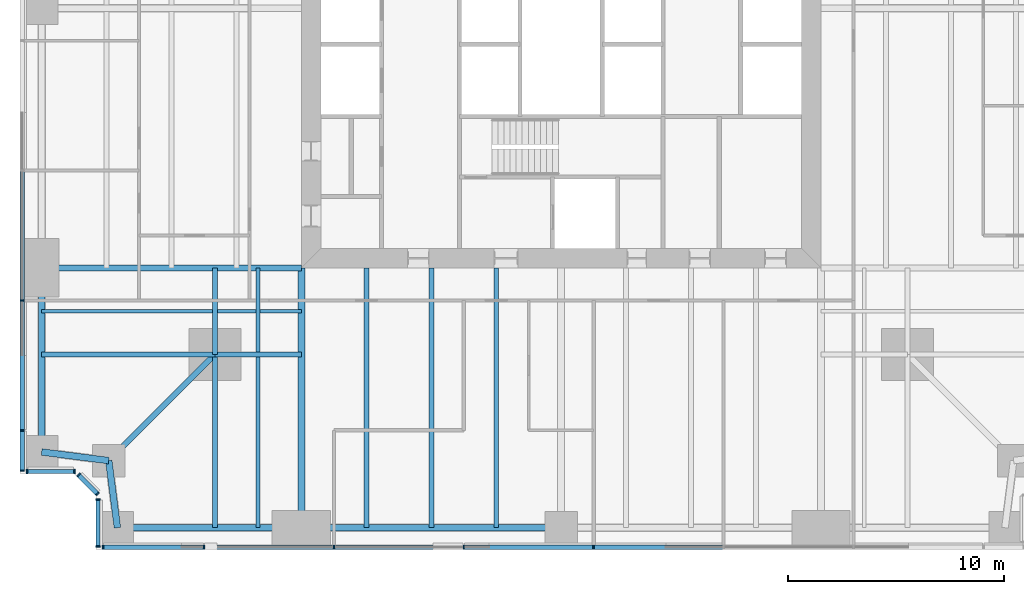
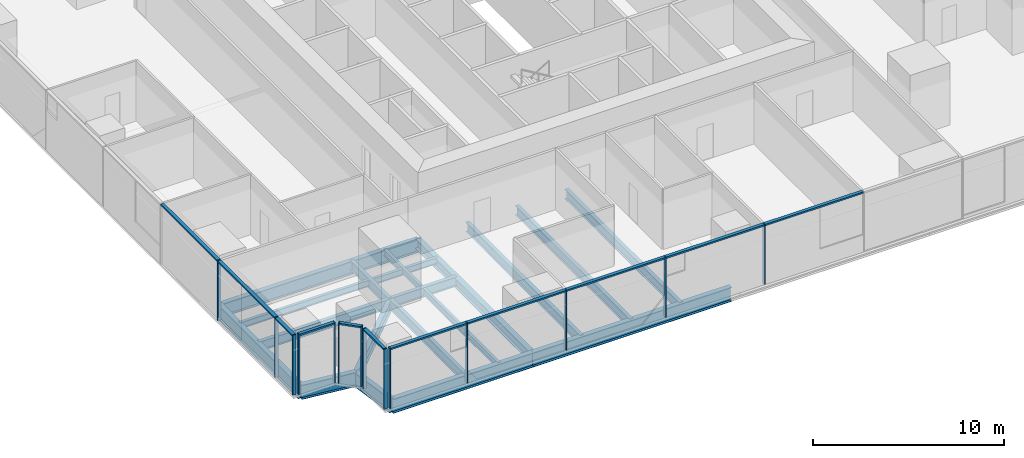
# One storey, part 2 of 13: 25 members, 20 beams, 5 elements without a shape of their own.
"""IFC4 building model written with IfcOpenShell, lengths in metres."""

from ifc_helpers import new_model, si_unit, direction, frame, origin, origin_2d, place, context, subcontext, project, spatial, rectangle, i_section, extrude, material, material_profile, profile_set, type_object, element, aggregate, save


model = new_model("IFC4")

# Units and contexts
model_context = context("Model", 3, precision=1e-05, world=origin(), true_north=direction((0.0, 1.0)))
body_context = subcontext(model_context, "Body", "Model", "MODEL_VIEW")
ifc_project = project(units=[si_unit("LENGTHUNIT", "METRE"), si_unit("AREAUNIT", "SQUARE_METRE"), si_unit("VOLUMEUNIT", "CUBIC_METRE"), si_unit("PLANEANGLEUNIT", "RADIAN"), si_unit("MASSUNIT", "GRAM", prefix="KILO")], contexts=[model_context])

# Site, building, storey
site_placement = place(None, origin())
site = spatial("IfcSite", under=ifc_project, at=site_placement, CompositionType="ELEMENT")
building_placement = place(site_placement, origin())
building = spatial("IfcBuilding", under=site, at=building_placement, Name="Fenwick Lantern Interchange", CompositionType="ELEMENT")
storey_placement = place(building_placement, frame((0.0, 0.0, 39.0)))
storey = spatial("IfcBuildingStorey", under=building, at=storey_placement, Name="L08", CompositionType="ELEMENT", Elevation=39.0)

# Beams
ifc_material_1 = material(Name="Steel ASTM A992 Grade 50", Category="steel")
ifc_material_profile_1 = material_profile(ifc_material_1, i_section(OverallWidth=0.3046875, OverallDepth=0.911865234375, WebThickness=0.015869140625, FlangeThickness=0.02392578125, at=origin_2d()), Name="W36X150")
ifc_profile_set_1 = profile_set([ifc_material_profile_1], Name="Steel ASTM A992 Grade 50")
beam_type_1 = type_object("IfcBeamType", Name="EDGE BEAM W36X150", PredefinedType="SPANDREL", material=ifc_profile_set_1)
beam_1_placement = place(storey_placement, frame((4.5, 1.0, -0.60595703125), z_axis=(1.0, 0.0, 0.0), x_axis=(0.0, 1.0, 0.0)))
element("IfcBeam", 1, at=beam_1_placement, inside=storey, type_object=beam_type_1, Name="L08/FR/S/EB1", PredefinedType="SPANDREL", context=body_context, shape_type="SweptSolid", body=[
    extrude(i_section(OverallWidth=0.3046875, OverallDepth=0.911865234375, WebThickness=0.015869140625, FlangeThickness=0.02392578125, at=origin_2d()), origin(), (0.0, 0.0, 1.0), 8.5),
])
beam_2_placement = place(storey_placement, frame((13.0, 1.0, -0.60595703125), z_axis=(1.0, 0.0, 0.0), x_axis=(0.0, 1.0, 0.0)))
element("IfcBeam", 2, at=beam_2_placement, inside=storey, type_object=beam_type_1, Name="L08/FR/S/EB2", PredefinedType="SPANDREL", context=body_context, shape_type="SweptSolid", body=[
    extrude(i_section(OverallWidth=0.3046875, OverallDepth=0.911865234375, WebThickness=0.015869140625, FlangeThickness=0.02392578125, at=origin_2d()), origin(), (0.0, 0.0, 1.0), 12.0),
])
beam_3_placement = place(storey_placement, frame((1.0, 13.0, -0.60595703125), z_axis=(0.0, -1.0, 0.0), x_axis=(1.0, 0.0, 0.0)))
element("IfcBeam", 3, at=beam_3_placement, inside=storey, type_object=beam_type_1, Name="L08/FR/W/EB4", PredefinedType="SPANDREL", context=body_context, shape_type="SweptSolid", body=[
    extrude(i_section(OverallWidth=0.3046875, OverallDepth=0.911865234375, WebThickness=0.015869140625, FlangeThickness=0.02392578125, at=origin_2d()), origin(), (0.0, 0.0, 1.0), 8.5),
])
for number, where, z_axis, x_axis, name in (
    (4, (1.0, 4.5, -0.60595703125), (0.991782342897, -0.127936641807, 0.0), (0.127936641807, 0.991782342897, 0.0), "L08/FR/W/EBR1"),
    (5, (4.10009765625, 4.10009765625, -0.60595703125), (0.127936641807, -0.991782342897, 0.0), (0.991782342897, 0.127936641807, 0.0), "L08/FR/W/EBR2"),
):
    element("IfcBeam", number, at=place(storey_placement, frame(where, z_axis=z_axis, x_axis=x_axis)), inside=storey, type_object=beam_type_1, Name=name, PredefinedType="SPANDREL", context=body_context, shape_type="SweptSolid", body=[
        extrude(i_section(OverallWidth=0.3046875, OverallDepth=0.911865234375, WebThickness=0.015869140625, FlangeThickness=0.02392578125, at=origin_2d()), origin(), (0.0, 0.0, 1.0), 3.125732421875),
    ])
ifc_material_profile_2 = material_profile(ifc_material_1, i_section(OverallWidth=0.22900390625, OverallDepth=0.612060546875, WebThickness=0.011962890625, FlangeThickness=0.01953125, at=origin_2d()), Name="W24X84")
ifc_profile_set_2 = profile_set([ifc_material_profile_2], Name="Steel ASTM A992 Grade 50")
beam_type_2 = type_object("IfcBeamType", Name="FLOOR BEAM W24X84", PredefinedType="BEAM", material=ifc_profile_set_2)
for number, where, z_axis, x_axis, name in (
    (6, (16.0, 1.0, -0.4560546875), (0.0, 1.0, 0.0), (-1.0, 0.0, 0.0), "L08/FR/S/R02"),
    (7, (19.0, 1.0, -0.4560546875), (0.0, 1.0, 0.0), (-1.0, 0.0, 0.0), "L08/FR/S/R03"),
    (8, (22.0, 1.0, -0.4560546875), (0.0, 1.0, 0.0), (-1.0, 0.0, 0.0), "L08/FR/S/R04"),
):
    element("IfcBeam", number, at=place(storey_placement, frame(where, z_axis=z_axis, x_axis=x_axis)), inside=storey, type_object=beam_type_2, Name=name, PredefinedType="BEAM", context=body_context, shape_type="SweptSolid", body=[
        extrude(i_section(OverallWidth=0.22900390625, OverallDepth=0.612060546875, WebThickness=0.011962890625, FlangeThickness=0.01953125, at=origin_2d()), origin(), (0.0, 0.0, 1.0), 12.0),
    ])
ifc_material_profile_3 = material_profile(ifc_material_1, i_section(OverallWidth=0.177734375, OverallDepth=0.406494140625, WebThickness=0.0078125, FlangeThickness=0.012939453125, at=origin_2d()), Name="W16X40")
ifc_profile_set_3 = profile_set([ifc_material_profile_3], Name="Steel ASTM A992 Grade 50")
beam_type_3 = type_object("IfcBeamType", Name="INFILL BEAM W16X40", PredefinedType="JOIST", material=ifc_profile_set_3)
beam_4_placement = place(storey_placement, frame((11.0, 1.0, -0.353271484375), z_axis=(0.0, 1.0, 0.0), x_axis=(-1.0, 0.0, 0.0)))
element("IfcBeam", 9, at=beam_4_placement, inside=storey, type_object=beam_type_3, Name="L08/FR/S/J1", PredefinedType="JOIST", context=body_context, shape_type="SweptSolid", body=[
    extrude(i_section(OverallWidth=0.177734375, OverallDepth=0.406494140625, WebThickness=0.0078125, FlangeThickness=0.012939453125, at=origin_2d()), origin(), (0.0, 0.0, 1.0), 7.885498046875),
])
beam_5_placement = place(storey_placement, frame((11.0, 9.114501953125, -0.353271484375), z_axis=(0.0, 1.0, 0.0), x_axis=(-1.0, 0.0, 0.0)))
element("IfcBeam", 10, at=beam_5_placement, inside=storey, type_object=beam_type_3, Name="L08/FR/S/J2", PredefinedType="JOIST", context=body_context, shape_type="SweptSolid", body=[
    extrude(i_section(OverallWidth=0.177734375, OverallDepth=0.406494140625, WebThickness=0.0078125, FlangeThickness=0.012939453125, at=origin_2d()), origin(), (0.0, 0.0, 1.0), 3.885498046875),
])
beam_6_placement = place(storey_placement, frame((1.0, 11.0, -0.353271484375), z_axis=(1.0, 0.0, 0.0), x_axis=(0.0, 1.0, 0.0)))
element("IfcBeam", 11, at=beam_6_placement, inside=storey, type_object=beam_type_3, Name="L08/FR/S/J3", PredefinedType="JOIST", context=body_context, shape_type="SweptSolid", body=[
    extrude(i_section(OverallWidth=0.177734375, OverallDepth=0.406494140625, WebThickness=0.0078125, FlangeThickness=0.012939453125, at=origin_2d()), origin(), (0.0, 0.0, 1.0), 7.885498046875),
])
beam_7_placement = place(storey_placement, frame((9.114501953125, 11.0, -0.353271484375), z_axis=(1.0, 0.0, 0.0), x_axis=(0.0, 1.0, 0.0)))
element("IfcBeam", 12, at=beam_7_placement, inside=storey, type_object=beam_type_3, Name="L08/FR/S/J4", PredefinedType="JOIST", context=body_context, shape_type="SweptSolid", body=[
    extrude(i_section(OverallWidth=0.177734375, OverallDepth=0.406494140625, WebThickness=0.0078125, FlangeThickness=0.012939453125, at=origin_2d()), origin(), (0.0, 0.0, 1.0), 1.796630859375),
])
beam_8_placement = place(storey_placement, frame((11.0888671875, 11.0, -0.353271484375), z_axis=(1.0, 0.0, 0.0), x_axis=(0.0, 1.0, 0.0)))
element("IfcBeam", 13, at=beam_8_placement, inside=storey, type_object=beam_type_3, Name="L08/FR/S/J5", PredefinedType="JOIST", context=body_context, shape_type="SweptSolid", body=[
    extrude(i_section(OverallWidth=0.177734375, OverallDepth=0.406494140625, WebThickness=0.0078125, FlangeThickness=0.012939453125, at=origin_2d()), origin(), (0.0, 0.0, 1.0), 1.9111328125),
])
ifc_material_profile_4 = material_profile(ifc_material_1, i_section(OverallWidth=0.22900390625, OverallDepth=0.612060546875, WebThickness=0.011962890625, FlangeThickness=0.01953125, at=origin_2d()), Name="W24X84")
ifc_profile_set_4 = profile_set([ifc_material_profile_4], Name="Steel ASTM A992 Grade 50")
beam_type_4 = type_object("IfcBeamType", Name="MEGA COLUMN BEAM W24X84", PredefinedType="BEAM", material=ifc_profile_set_4)
for number, where, z_axis, x_axis, name in (
    (14, (9.0, 9.0, -0.4560546875), (0.0, -1.0, 0.0), (1.0, 0.0, 0.0), "L08/FR/S/MB1"),
    (15, (9.0, 9.0, -0.4560546875), (-1.0, 0.0, 0.0), (0.0, -1.0, 0.0), "L08/FR/S/MB2"),
):
    element("IfcBeam", number, at=place(storey_placement, frame(where, z_axis=z_axis, x_axis=x_axis)), inside=storey, type_object=beam_type_4, Name=name, PredefinedType="BEAM", context=body_context, shape_type="SweptSolid", body=[
        extrude(i_section(OverallWidth=0.22900390625, OverallDepth=0.612060546875, WebThickness=0.011962890625, FlangeThickness=0.01953125, at=origin_2d()), origin(), (0.0, 0.0, 1.0), 8.0),
    ])
for number, where, z_axis, x_axis, name in (
    (16, (9.0, 9.0, -0.4560546875), (1.0, 0.0, 0.0), (0.0, 1.0, 0.0), "L08/FR/S/MB3"),
    (17, (9.0, 9.0, -0.4560546875), (0.0, 1.0, 0.0), (-1.0, 0.0, 0.0), "L08/FR/S/MB4"),
):
    element("IfcBeam", number, at=place(storey_placement, frame(where, z_axis=z_axis, x_axis=x_axis)), inside=storey, type_object=beam_type_4, Name=name, PredefinedType="BEAM", context=body_context, shape_type="SweptSolid", body=[
        extrude(i_section(OverallWidth=0.22900390625, OverallDepth=0.612060546875, WebThickness=0.011962890625, FlangeThickness=0.01953125, at=origin_2d()), origin(), (0.0, 0.0, 1.0), 4.0),
    ])
ifc_material_profile_5 = material_profile(ifc_material_1, i_section(OverallWidth=0.32763671875, OverallDepth=0.622314453125, WebThickness=0.015380859375, FlangeThickness=0.0244140625, at=origin_2d()), Name="W24X131")
ifc_profile_set_5 = profile_set([ifc_material_profile_5], Name="Steel ASTM A992 Grade 50")
beam_type_5 = type_object("IfcBeamType", Name="MOMENT-CONNECTED GIRDER W24X131", PredefinedType="BEAM", material=ifc_profile_set_5)
beam_9_placement = place(storey_placement, frame((13.0, 1.0, -0.461181640625), z_axis=(0.0, 1.0, 0.0), x_axis=(-1.0, 0.0, 0.0)))
element("IfcBeam", 18, at=beam_9_placement, inside=storey, type_object=beam_type_5, Name="L08/FR/S/R01", PredefinedType="BEAM", context=body_context, shape_type="SweptSolid", body=[
    extrude(i_section(OverallWidth=0.32763671875, OverallDepth=0.622314453125, WebThickness=0.015380859375, FlangeThickness=0.0244140625, at=origin_2d()), origin(), (0.0, 0.0, 1.0), 12.0),
])
ifc_material_profile_6 = material_profile(ifc_material_1, i_section(OverallWidth=0.2919921875, OverallDepth=0.845703125, WebThickness=0.015380859375, FlangeThickness=0.0244140625, at=origin_2d()), Name="W33X141")
ifc_profile_set_6 = profile_set([ifc_material_profile_6], Name="Steel ASTM A992 Grade 50")
beam_type_6 = type_object("IfcBeamType", Name="MOMENT-CONNECTED GIRDER W33X141", PredefinedType="BEAM", material=ifc_profile_set_6)
beam_10_placement = place(storey_placement, frame((1.0, 13.0, -0.572998046875), z_axis=(1.0, 0.0, 0.0), x_axis=(0.0, 1.0, 0.0)))
element("IfcBeam", 19, at=beam_10_placement, inside=storey, type_object=beam_type_6, Name="L08/FR/W/R03", PredefinedType="BEAM", context=body_context, shape_type="SweptSolid", body=[
    extrude(i_section(OverallWidth=0.2919921875, OverallDepth=0.845703125, WebThickness=0.015380859375, FlangeThickness=0.0244140625, at=origin_2d()), origin(), (0.0, 0.0, 1.0), 12.0),
])
ifc_material_profile_7 = material_profile(ifc_material_1, i_section(OverallWidth=0.2666015625, OverallDepth=0.7568359375, WebThickness=0.013916015625, FlangeThickness=0.019287109375, at=origin_2d()), Name="W30X108")
ifc_profile_set_7 = profile_set([ifc_material_profile_7], Name="Steel ASTM A992 Grade 50")
beam_type_7 = type_object("IfcBeamType", Name="NOTCH BEAM W30X108", PredefinedType="BEAM", material=ifc_profile_set_7)
beam_11_placement = place(storey_placement, frame((9.0, 9.0, -0.528564453125), z_axis=(-0.707106781187, -0.707106781187, 0.0), x_axis=(0.707106781187, -0.707106781187, 0.0)))
element("IfcBeam", 20, at=beam_11_placement, inside=storey, type_object=beam_type_7, Name="L08/FR/S/TG", PredefinedType="BEAM", context=body_context, shape_type="SweptSolid", body=[
    extrude(i_section(OverallWidth=0.2666015625, OverallDepth=0.7568359375, WebThickness=0.013916015625, FlangeThickness=0.019287109375, at=origin_2d()), origin(), (0.0, 0.0, 1.0), 6.929443359375),
])

# Curtain wall, members
ifc_material_2 = material(Name="Aluminium curtain wall frame", Category="aluminium")
curtain_wall_type = type_object("IfcCurtainWallType", Name="OFFICE CURTAIN WALL", PredefinedType="USERDEFINED", material=ifc_material_2)
curtain_wall_1_placement = place(storey_placement, origin())
curtain_wall_1 = element("IfcCurtainWall", 21, at=curtain_wall_1_placement, inside=storey, type_object=curtain_wall_type, Name="Office curtain wall 01", ObjectType="OFFICE CURTAIN WALL", PredefinedType="USERDEFINED")
ifc_material_3 = material(Name="Aluminium extrusion", Category="aluminium")
ifc_material_profile_8 = material_profile(ifc_material_3, rectangle(XDim=0.199951171875, YDim=0.06494140625, at=origin_2d()), Name="OFFICE CURTAIN WALL MULLION 65 X 200")
ifc_profile_set_8 = profile_set([ifc_material_profile_8], Name="Aluminium extrusion")
member_type_1 = type_object("IfcMemberType", Name="OFFICE CURTAIN WALL MULLION 65 X 200", PredefinedType="MULLION", material=ifc_profile_set_8)
member_1_placement = place(storey_placement, frame((3.83251953125, 0.10009765625, 0.0), z_axis=(0.0, 0.0, 1.0), x_axis=(0.0, 1.0, 0.0)))
member_1 = element("IfcMember", 22, at=member_1_placement, type_object=member_type_1, Name="L08/CW/01/M00", PredefinedType="MULLION", context=body_context, shape_type="SweptSolid", body=[
    extrude(rectangle(XDim=0.199951171875, YDim=0.06494140625, at=origin_2d()), origin(), (0.0, 0.0, 1.0), 3.85009765625),
])
member_2_placement = place(storey_placement, frame((8.5, 0.10009765625, 0.0), z_axis=(0.0, 0.0, 1.0), x_axis=(0.0, 1.0, 0.0)))
member_2 = element("IfcMember", 23, at=member_2_placement, type_object=member_type_1, Name="L08/CW/01/M01", PredefinedType="MULLION", context=body_context, shape_type="SweptSolid", body=[
    extrude(rectangle(XDim=0.199951171875, YDim=0.06494140625, at=origin_2d()), origin(), (0.0, 0.0, 1.0), 3.85009765625),
])
member_3_placement = place(storey_placement, frame((14.5, 0.10009765625, 0.0), z_axis=(0.0, 0.0, 1.0), x_axis=(0.0, 1.0, 0.0)))
member_3 = element("IfcMember", 24, at=member_3_placement, type_object=member_type_1, Name="L08/CW/01/M02", PredefinedType="MULLION", context=body_context, shape_type="SweptSolid", body=[
    extrude(rectangle(XDim=0.199951171875, YDim=0.06494140625, at=origin_2d()), origin(), (0.0, 0.0, 1.0), 3.85009765625),
])
member_4_placement = place(storey_placement, frame((20.5, 0.10009765625, 0.0), z_axis=(0.0, 0.0, 1.0), x_axis=(0.0, 1.0, 0.0)))
member_4 = element("IfcMember", 25, at=member_4_placement, type_object=member_type_1, Name="L08/CW/01/M03", PredefinedType="MULLION", context=body_context, shape_type="SweptSolid", body=[
    extrude(rectangle(XDim=0.199951171875, YDim=0.06494140625, at=origin_2d()), origin(), (0.0, 0.0, 1.0), 3.85009765625),
])
member_5_placement = place(storey_placement, frame((26.5, 0.10009765625, 0.0), z_axis=(0.0, 0.0, 1.0), x_axis=(0.0, 1.0, 0.0)))
member_5 = element("IfcMember", 26, at=member_5_placement, type_object=member_type_1, Name="L08/CW/01/M04", PredefinedType="MULLION", context=body_context, shape_type="SweptSolid", body=[
    extrude(rectangle(XDim=0.199951171875, YDim=0.06494140625, at=origin_2d()), origin(), (0.0, 0.0, 1.0), 3.85009765625),
])

curtain_wall_2_placement = place(storey_placement, origin())
curtain_wall_2 = element("IfcCurtainWall", 27, at=curtain_wall_2_placement, inside=storey, type_object=curtain_wall_type, Name="Office curtain wall 13", ObjectType="OFFICE CURTAIN WALL", PredefinedType="USERDEFINED")
member_6_placement = place(storey_placement, frame((0.10009765625, 11.5, 0.0), z_axis=(0.0, 0.0, 1.0), x_axis=(1.0, 0.0, 0.0)))
member_6 = element("IfcMember", 28, at=member_6_placement, type_object=member_type_1, Name="L08/CW/13/M06", PredefinedType="MULLION", context=body_context, shape_type="SweptSolid", body=[
    extrude(rectangle(XDim=0.199951171875, YDim=0.06494140625, at=origin_2d()), origin(), (0.0, 0.0, 1.0), 3.85009765625),
])
member_7_placement = place(storey_placement, frame((0.10009765625, 5.5, 0.0), z_axis=(0.0, 0.0, 1.0), x_axis=(1.0, 0.0, 0.0)))
member_7 = element("IfcMember", 29, at=member_7_placement, type_object=member_type_1, Name="L08/CW/13/M07", PredefinedType="MULLION", context=body_context, shape_type="SweptSolid", body=[
    extrude(rectangle(XDim=0.199951171875, YDim=0.06494140625, at=origin_2d()), origin(), (0.0, 0.0, 1.0), 3.85009765625),
])
member_8_placement = place(storey_placement, frame((0.10009765625, 3.632568359375, 0.0), z_axis=(0.0, 0.0, 1.0), x_axis=(1.0, 0.0, 0.0)))
member_8 = element("IfcMember", 30, at=member_8_placement, type_object=member_type_1, Name="L08/CW/13/M08", PredefinedType="MULLION", context=body_context, shape_type="SweptSolid", body=[
    extrude(rectangle(XDim=0.199951171875, YDim=0.06494140625, at=origin_2d()), origin(), (0.0, 0.0, 1.0), 3.85009765625),
])

curtain_wall_3_placement = place(storey_placement, origin())
curtain_wall_3 = element("IfcCurtainWall", 31, at=curtain_wall_3_placement, inside=storey, type_object=curtain_wall_type, Name="Office curtain wall 14", ObjectType="OFFICE CURTAIN WALL", PredefinedType="USERDEFINED")
member_9_placement = place(storey_placement, frame((0.33251953125, 3.60009765625, 0.0), z_axis=(0.0, 0.0, 1.0), x_axis=(0.0, 1.0, 0.0)))
member_9 = element("IfcMember", 32, at=member_9_placement, type_object=member_type_1, Name="L08/CW/14/M00", PredefinedType="MULLION", context=body_context, shape_type="SweptSolid", body=[
    extrude(rectangle(XDim=0.199951171875, YDim=0.06494140625, at=origin_2d()), origin(), (0.0, 0.0, 1.0), 3.85009765625),
])
member_10_placement = place(storey_placement, frame((2.509033203125, 3.60009765625, 0.0), z_axis=(0.0, 0.0, 1.0), x_axis=(0.0, 1.0, 0.0)))
member_10 = element("IfcMember", 33, at=member_10_placement, type_object=member_type_1, Name="L08/CW/14/M01", PredefinedType="MULLION", context=body_context, shape_type="SweptSolid", body=[
    extrude(rectangle(XDim=0.199951171875, YDim=0.06494140625, at=origin_2d()), origin(), (0.0, 0.0, 1.0), 3.85009765625),
])

curtain_wall_4_placement = place(storey_placement, origin())
curtain_wall_4 = element("IfcCurtainWall", 34, at=curtain_wall_4_placement, inside=storey, type_object=curtain_wall_type, Name="Office curtain wall 15", ObjectType="OFFICE CURTAIN WALL", PredefinedType="USERDEFINED")
member_11_placement = place(storey_placement, frame((2.705810546875, 3.435546875, 0.0), z_axis=(0.0, 0.0, 1.0), x_axis=(0.707106781187, 0.707106781187, 0.0)))
member_11 = element("IfcMember", 35, at=member_11_placement, type_object=member_type_1, Name="L08/CW/15/M00", PredefinedType="MULLION", context=body_context, shape_type="SweptSolid", body=[
    extrude(rectangle(XDim=0.199951171875, YDim=0.06494140625, at=origin_2d()), origin(), (0.0, 0.0, 1.0), 3.85009765625),
])
member_12_placement = place(storey_placement, frame((3.576904296875, 2.564453125, 0.0), z_axis=(0.0, 0.0, 1.0), x_axis=(0.707106781187, 0.707106781187, 0.0)))
member_12 = element("IfcMember", 36, at=member_12_placement, type_object=member_type_1, Name="L08/CW/15/M01", PredefinedType="MULLION", context=body_context, shape_type="SweptSolid", body=[
    extrude(rectangle(XDim=0.199951171875, YDim=0.06494140625, at=origin_2d()), origin(), (0.0, 0.0, 1.0), 3.85009765625),
])

curtain_wall_5_placement = place(storey_placement, origin())
curtain_wall_5 = element("IfcCurtainWall", 37, at=curtain_wall_5_placement, inside=storey, type_object=curtain_wall_type, Name="Office curtain wall 16", ObjectType="OFFICE CURTAIN WALL", PredefinedType="USERDEFINED")
member_13_placement = place(storey_placement, frame((3.60009765625, 2.308837890625, 0.0), z_axis=(0.0, 0.0, 1.0), x_axis=(1.0, 0.0, 0.0)))
member_13 = element("IfcMember", 38, at=member_13_placement, type_object=member_type_1, Name="L08/CW/16/M00", PredefinedType="MULLION", context=body_context, shape_type="SweptSolid", body=[
    extrude(rectangle(XDim=0.199951171875, YDim=0.06494140625, at=origin_2d()), origin(), (0.0, 0.0, 1.0), 3.85009765625),
])
member_14_placement = place(storey_placement, frame((3.60009765625, 0.132568359375, 0.0), z_axis=(0.0, 0.0, 1.0), x_axis=(1.0, 0.0, 0.0)))
member_14 = element("IfcMember", 39, at=member_14_placement, type_object=member_type_1, Name="L08/CW/16/M01", PredefinedType="MULLION", context=body_context, shape_type="SweptSolid", body=[
    extrude(rectangle(XDim=0.199951171875, YDim=0.06494140625, at=origin_2d()), origin(), (0.0, 0.0, 1.0), 3.85009765625),
])

# Member
ifc_material_profile_9 = material_profile(ifc_material_3, rectangle(XDim=0.199951171875, YDim=0.10009765625, at=origin_2d()), Name="OFFICE CURTAIN WALL TRANSOM 100 X 200")
ifc_profile_set_9 = profile_set([ifc_material_profile_9], Name="Aluminium extrusion")
member_type_2 = type_object("IfcMemberType", Name="OFFICE CURTAIN WALL TRANSOM 100 X 200", PredefinedType="MULLION", material=ifc_profile_set_9)
member_15_placement = place(storey_placement, frame((3.864990234375, 0.10009765625, 3.800048828125), z_axis=(1.0, 0.0, 0.0), x_axis=(0.0, 1.0, 0.0)))
member_15 = element("IfcMember", 40, at=member_15_placement, type_object=member_type_2, Name="L08/CW/01/T00", PredefinedType="MULLION", context=body_context, shape_type="SweptSolid", body=[
    extrude(rectangle(XDim=0.199951171875, YDim=0.10009765625, at=origin_2d()), origin(), (0.0, 0.0, 1.0), 4.6025390625),
])

member_16_placement = place(storey_placement, frame((8.532470703125, 0.10009765625, 3.800048828125), z_axis=(1.0, 0.0, 0.0), x_axis=(0.0, 1.0, 0.0)))
member_16 = element("IfcMember", 41, at=member_16_placement, type_object=member_type_2, Name="L08/CW/01/T01", PredefinedType="MULLION", context=body_context, shape_type="SweptSolid", body=[
    extrude(rectangle(XDim=0.199951171875, YDim=0.10009765625, at=origin_2d()), origin(), (0.0, 0.0, 1.0), 5.93505859375),
])

member_17_placement = place(storey_placement, frame((14.532470703125, 0.10009765625, 3.800048828125), z_axis=(1.0, 0.0, 0.0), x_axis=(0.0, 1.0, 0.0)))
member_17 = element("IfcMember", 42, at=member_17_placement, type_object=member_type_2, Name="L08/CW/01/T02", PredefinedType="MULLION", context=body_context, shape_type="SweptSolid", body=[
    extrude(rectangle(XDim=0.199951171875, YDim=0.10009765625, at=origin_2d()), origin(), (0.0, 0.0, 1.0), 5.93505859375),
])

member_18_placement = place(storey_placement, frame((20.532470703125, 0.10009765625, 3.800048828125), z_axis=(1.0, 0.0, 0.0), x_axis=(0.0, 1.0, 0.0)))
member_18 = element("IfcMember", 43, at=member_18_placement, type_object=member_type_2, Name="L08/CW/01/T03", PredefinedType="MULLION", context=body_context, shape_type="SweptSolid", body=[
    extrude(rectangle(XDim=0.199951171875, YDim=0.10009765625, at=origin_2d()), origin(), (0.0, 0.0, 1.0), 5.93505859375),
])

member_19_placement = place(storey_placement, frame((26.532470703125, 0.10009765625, 3.800048828125), z_axis=(1.0, 0.0, 0.0), x_axis=(0.0, 1.0, 0.0)))
member_19 = element("IfcMember", 44, at=member_19_placement, type_object=member_type_2, Name="L08/CW/01/T04", PredefinedType="MULLION", context=body_context, shape_type="SweptSolid", body=[
    extrude(rectangle(XDim=0.199951171875, YDim=0.10009765625, at=origin_2d()), origin(), (0.0, 0.0, 1.0), 5.93505859375),
])

aggregate(curtain_wall_1, [member_1, member_2, member_3, member_4, member_5, member_15, member_16, member_17, member_18, member_19])

member_20_placement = place(storey_placement, frame((0.10009765625, 17.467529296875, 3.800048828125), z_axis=(0.0, -1.0, 0.0), x_axis=(1.0, 0.0, 0.0)))
member_20 = element("IfcMember", 45, at=member_20_placement, type_object=member_type_2, Name="L08/CW/13/T05", PredefinedType="MULLION", context=body_context, shape_type="SweptSolid", body=[
    extrude(rectangle(XDim=0.199951171875, YDim=0.10009765625, at=origin_2d()), origin(), (0.0, 0.0, 1.0), 5.93505859375),
])

member_21_placement = place(storey_placement, frame((0.10009765625, 11.467529296875, 3.800048828125), z_axis=(0.0, -1.0, 0.0), x_axis=(1.0, 0.0, 0.0)))
member_21 = element("IfcMember", 46, at=member_21_placement, type_object=member_type_2, Name="L08/CW/13/T06", PredefinedType="MULLION", context=body_context, shape_type="SweptSolid", body=[
    extrude(rectangle(XDim=0.199951171875, YDim=0.10009765625, at=origin_2d()), origin(), (0.0, 0.0, 1.0), 5.93505859375),
])

member_22_placement = place(storey_placement, frame((0.10009765625, 5.467529296875, 3.800048828125), z_axis=(0.0, -1.0, 0.0), x_axis=(1.0, 0.0, 0.0)))
member_22 = element("IfcMember", 47, at=member_22_placement, type_object=member_type_2, Name="L08/CW/13/T07", PredefinedType="MULLION", context=body_context, shape_type="SweptSolid", body=[
    extrude(rectangle(XDim=0.199951171875, YDim=0.10009765625, at=origin_2d()), origin(), (0.0, 0.0, 1.0), 1.802490234375),
])

aggregate(curtain_wall_2, [member_6, member_7, member_8, member_20, member_21, member_22])

member_23_placement = place(storey_placement, frame((0.364990234375, 3.60009765625, 3.800048828125), z_axis=(1.0, 0.0, 0.0), x_axis=(0.0, 1.0, 0.0)))
member_23 = element("IfcMember", 48, at=member_23_placement, type_object=member_type_2, Name="L08/CW/14/T00", PredefinedType="MULLION", context=body_context, shape_type="SweptSolid", body=[
    extrude(rectangle(XDim=0.199951171875, YDim=0.10009765625, at=origin_2d()), origin(), (0.0, 0.0, 1.0), 2.111328125),
])

aggregate(curtain_wall_3, [member_9, member_10, member_23])

member_24_placement = place(storey_placement, frame((2.728759765625, 3.41259765625, 3.800048828125), z_axis=(0.707106781187, -0.707106781187, 0.0), x_axis=(0.707106781187, 0.707106781187, 0.0)))
member_24 = element("IfcMember", 49, at=member_24_placement, type_object=member_type_2, Name="L08/CW/15/T00", PredefinedType="MULLION", context=body_context, shape_type="SweptSolid", body=[
    extrude(rectangle(XDim=0.199951171875, YDim=0.10009765625, at=origin_2d()), origin(), (0.0, 0.0, 1.0), 1.1669921875),
])

aggregate(curtain_wall_4, [member_11, member_12, member_24])

member_25_placement = place(storey_placement, frame((3.60009765625, 2.2763671875, 3.800048828125), z_axis=(0.0, -1.0, 0.0), x_axis=(1.0, 0.0, 0.0)))
member_25 = element("IfcMember", 50, at=member_25_placement, type_object=member_type_2, Name="L08/CW/16/T00", PredefinedType="MULLION", context=body_context, shape_type="SweptSolid", body=[
    extrude(rectangle(XDim=0.199951171875, YDim=0.10009765625, at=origin_2d()), origin(), (0.0, 0.0, 1.0), 2.111328125),
])

aggregate(curtain_wall_5, [member_13, member_14, member_25])

save(model, "model.ifc")
